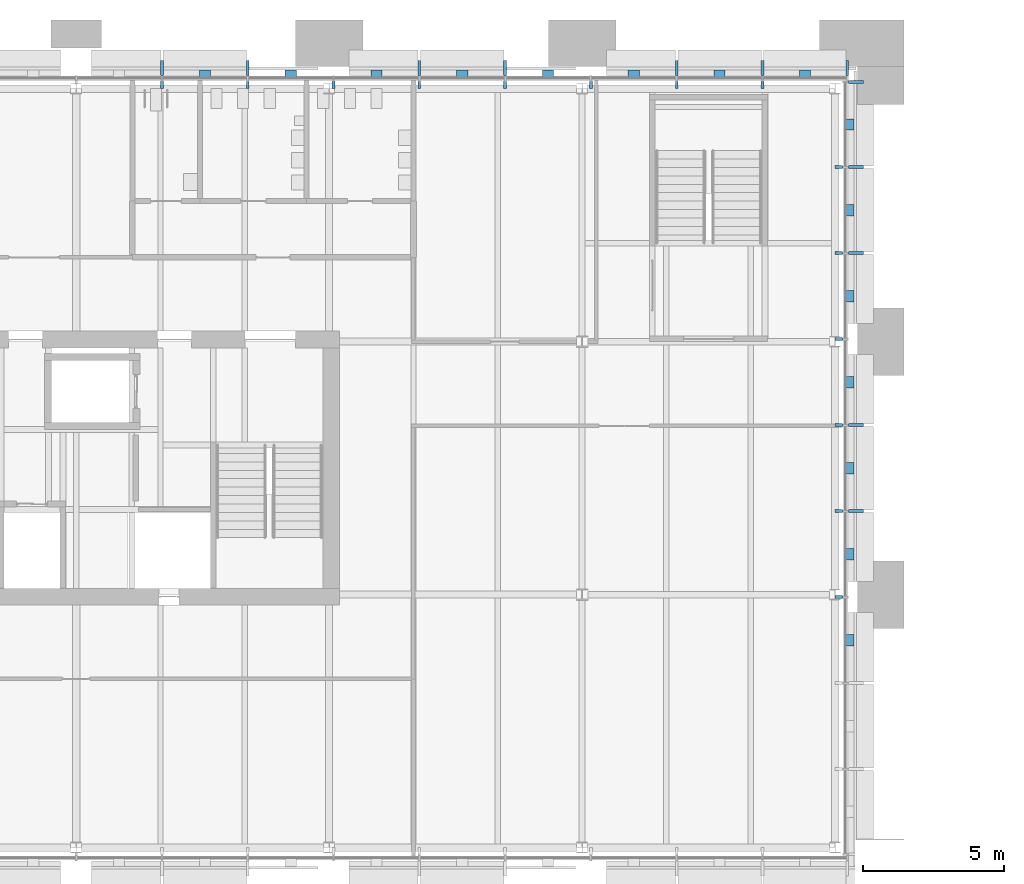
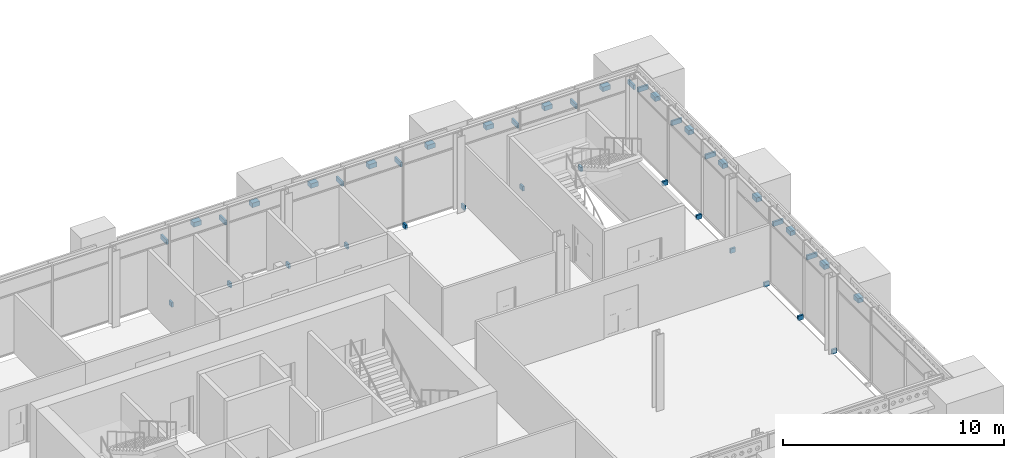
# One storey, part 36 of 54: 41 discrete accessories.
"""IFC4 building model written with IfcOpenShell, lengths in metres."""

from ifc_helpers import new_model, si_unit, direction, frame, origin, origin_2d, place, context, subcontext, project, spatial, rectangle, extrude, material, type_object, element, save


model = new_model("IFC4")

# Units and contexts
model_context = context("Model", 3, precision=1e-05, world=origin(), true_north=direction((0.0, 1.0)))
body_context = subcontext(model_context, "Body", "Model", "MODEL_VIEW")
ifc_project = project(units=[si_unit("LENGTHUNIT", "METRE"), si_unit("AREAUNIT", "SQUARE_METRE"), si_unit("VOLUMEUNIT", "CUBIC_METRE"), si_unit("PLANEANGLEUNIT", "RADIAN"), si_unit("MASSUNIT", "GRAM", prefix="KILO")], contexts=[model_context])

# Site, building, storey
site_placement = place(None, origin())
site = spatial("IfcSite", under=ifc_project, at=site_placement, CompositionType="ELEMENT")
building_placement = place(site_placement, origin())
building = spatial("IfcBuilding", under=site, at=building_placement, Name="Baradari Gate Terminus", CompositionType="ELEMENT")
storey_placement = place(building_placement, frame((0.0, 0.0, 15.89990234375)))
storey = spatial("IfcBuildingStorey", under=building, at=storey_placement, Name="L03", CompositionType="ELEMENT", Elevation=15.89990234375)

# Discrete accessories
ifc_material_1 = material(Name="Steel S275", Category="steel")
discrete_accessory_type_1 = type_object("IfcDiscreteAccessoryType", Name="Chhajja bracket BK-3 galvanised steel", PredefinedType="BRACKET", material=ifc_material_1)
for number, where, z_axis, x_axis, name in (
    (1, (39.05224609375, 144.739990234375, 3.08251953125), (0.0, 0.0, 1.0), (0.0, 1.0, 0.0), "Chhajja bracket BK-3 L03/TN mullion 11"),
    (2, (42.1044921875, 144.739990234375, 3.08251953125), (0.0, 0.0, 1.0), (0.0, 1.0, 0.0), "Chhajja bracket BK-3 L03/TN mullion 12"),
    (3, (48.208984375, 144.739990234375, 3.08251953125), (0.0, 0.0, 1.0), (0.0, 1.0, 0.0), "Chhajja bracket BK-3 L03/TN mullion 14"),
    (4, (51.26123046875, 144.739990234375, 3.08251953125), (0.0, 0.0, 1.0), (0.0, 1.0, 0.0), "Chhajja bracket BK-3 L03/TN mullion 15"),
    (5, (57.365478515625, 144.739990234375, 3.08251953125), (0.0, 0.0, 1.0), (0.0, 1.0, 0.0), "Chhajja bracket BK-3 L03/TN mullion 17"),
    (6, (60.417724609375, 144.739990234375, 3.08251953125), (0.0, 0.0, 1.0), (0.0, 1.0, 0.0), "Chhajja bracket BK-3 L03/TN mullion 18"),
    (7, (63.4375, 144.739990234375, 3.08251953125), (0.0, 0.0, 1.0), (0.0, 1.0, 0.0), "Chhajja bracket BK-3 L03/TN mullion 19"),
    (8, (63.739990234375, 128.969970703125, 3.08251953125), (0.0, 0.0, 1.0), (1.0, 0.0, 0.0), "Chhajja bracket BK-3 L03/TE mullion 5"),
    (9, (63.739990234375, 132.030029296875, 3.08251953125), (0.0, 0.0, 1.0), (1.0, 0.0, 0.0), "Chhajja bracket BK-3 L03/TE mullion 6"),
    (10, (63.739990234375, 138.14990234375, 3.08251953125), (0.0, 0.0, 1.0), (1.0, 0.0, 0.0), "Chhajja bracket BK-3 L03/TE mullion 8"),
    (11, (63.739990234375, 141.2099609375, 3.08251953125), (0.0, 0.0, 1.0), (1.0, 0.0, 0.0), "Chhajja bracket BK-3 L03/TE mullion 9"),
    (12, (63.739990234375, 144.237548828125, 3.08251953125), (0.0, 0.0, 1.0), (1.0, 0.0, 0.0), "Chhajja bracket BK-3 L03/TE mullion 10"),
):
    element("IfcDiscreteAccessory", number, at=place(storey_placement, frame(where, z_axis=z_axis, x_axis=x_axis)), inside=storey, type_object=discrete_accessory_type_1, Name=name, PredefinedType="BRACKET", context=body_context, shape_type="SweptSolid", body=[
        extrude(rectangle(XDim=0.5400390625, YDim=0.10009765625, at=origin_2d()), origin(), (0.0, 0.0, 1.0), 0.25),
    ])
ifc_material_2 = material(Name="Aluminium 6063-T6", Category="aluminium")
discrete_accessory_type_2 = type_object("IfcDiscreteAccessoryType", Name="Curtain wall bracket BK-1 100x250", PredefinedType="BRACKET", material=ifc_material_2)
for number, where, z_axis, x_axis, name in (
    (13, (39.05224609375, 144.135009765625, -0.099853515625), (0.0, 0.0, 1.0), (0.0, 1.0, 0.0), "Curtain wall bracket BK-1 L03/TN mullion 11"),
    (14, (42.1044921875, 144.135009765625, -0.099853515625), (0.0, 0.0, 1.0), (0.0, 1.0, 0.0), "Curtain wall bracket BK-1 L03/TN mullion 12"),
    (15, (45.15673828125, 144.135009765625, -0.099853515625), (0.0, 0.0, 1.0), (0.0, 1.0, 0.0), "Curtain wall bracket BK-1 L03/TN mullion 13"),
    (16, (48.208984375, 144.135009765625, -0.099853515625), (0.0, 0.0, 1.0), (0.0, 1.0, 0.0), "Curtain wall bracket BK-1 L03/TN mullion 14"),
    (17, (51.26123046875, 144.135009765625, -0.099853515625), (0.0, 0.0, 1.0), (0.0, 1.0, 0.0), "Curtain wall bracket BK-1 L03/TN mullion 15"),
    (18, (54.313232421875, 144.135009765625, -0.099853515625), (0.0, 0.0, 1.0), (0.0, 1.0, 0.0), "Curtain wall bracket BK-1 L03/TN mullion 16"),
    (19, (57.365478515625, 144.135009765625, -0.099853515625), (0.0, 0.0, 1.0), (0.0, 1.0, 0.0), "Curtain wall bracket BK-1 L03/TN mullion 17"),
    (20, (60.417724609375, 144.135009765625, -0.099853515625), (0.0, 0.0, 1.0), (0.0, 1.0, 0.0), "Curtain wall bracket BK-1 L03/TN mullion 18"),
    (21, (63.135009765625, 125.909912109375, -0.099853515625), (0.0, 0.0, 1.0), (1.0, 0.0, 0.0), "Curtain wall bracket BK-1 L03/TE mullion 4"),
    (22, (63.135009765625, 128.969970703125, -0.099853515625), (0.0, 0.0, 1.0), (1.0, 0.0, 0.0), "Curtain wall bracket BK-1 L03/TE mullion 5"),
    (23, (63.135009765625, 132.030029296875, -0.099853515625), (0.0, 0.0, 1.0), (1.0, 0.0, 0.0), "Curtain wall bracket BK-1 L03/TE mullion 6"),
    (24, (63.135009765625, 135.090087890625, -0.099853515625), (0.0, 0.0, 1.0), (1.0, 0.0, 0.0), "Curtain wall bracket BK-1 L03/TE mullion 7"),
    (25, (63.135009765625, 138.14990234375, -0.099853515625), (0.0, 0.0, 1.0), (1.0, 0.0, 0.0), "Curtain wall bracket BK-1 L03/TE mullion 8"),
    (26, (63.135009765625, 141.2099609375, -0.099853515625), (0.0, 0.0, 1.0), (1.0, 0.0, 0.0), "Curtain wall bracket BK-1 L03/TE mullion 9"),
):
    element("IfcDiscreteAccessory", number, at=place(storey_placement, frame(where, z_axis=z_axis, x_axis=x_axis)), inside=storey, type_object=discrete_accessory_type_2, Name=name, PredefinedType="BRACKET", context=body_context, shape_type="SweptSolid", body=[
        extrude(rectangle(XDim=0.27001953125, YDim=0.10009765625, at=origin_2d()), origin(), (0.0, 0.0, 1.0), 0.25),
    ])
ifc_material_3 = material(Name="Stainless steel 316", Category="steel")
discrete_accessory_type_3 = type_object("IfcDiscreteAccessoryType", Name="Jali screen bracket BK-2 stainless steel", PredefinedType="BRACKET", material=ifc_material_3)
for number, where, z_axis, x_axis, name in (
    (27, (40.578369140625, 144.527587890625, 3.60888671875), (0.0, 0.0, 1.0), (0.0, 1.0, 0.0), "Jali screen bracket BK-2 L03/TN bay 11"),
    (28, (43.630615234375, 144.527587890625, 3.60888671875), (0.0, 0.0, 1.0), (0.0, 1.0, 0.0), "Jali screen bracket BK-2 L03/TN bay 12"),
    (29, (46.682861328125, 144.527587890625, 3.60888671875), (0.0, 0.0, 1.0), (0.0, 1.0, 0.0), "Jali screen bracket BK-2 L03/TN bay 13"),
    (30, (49.735107421875, 144.527587890625, 3.60888671875), (0.0, 0.0, 1.0), (0.0, 1.0, 0.0), "Jali screen bracket BK-2 L03/TN bay 14"),
    (31, (52.787109375, 144.527587890625, 3.60888671875), (0.0, 0.0, 1.0), (0.0, 1.0, 0.0), "Jali screen bracket BK-2 L03/TN bay 15"),
    (32, (55.83935546875, 144.527587890625, 3.60888671875), (0.0, 0.0, 1.0), (0.0, 1.0, 0.0), "Jali screen bracket BK-2 L03/TN bay 16"),
    (33, (58.8916015625, 144.527587890625, 3.60888671875), (0.0, 0.0, 1.0), (0.0, 1.0, 0.0), "Jali screen bracket BK-2 L03/TN bay 17"),
    (34, (61.927734375, 144.527587890625, 3.60888671875), (0.0, 0.0, 1.0), (0.0, 1.0, 0.0), "Jali screen bracket BK-2 L03/TN bay 18"),
    (35, (63.527587890625, 124.3798828125, 3.60888671875), (0.0, 0.0, 1.0), (1.0, 0.0, 0.0), "Jali screen bracket BK-2 L03/TE bay 3"),
    (36, (63.527587890625, 127.43994140625, 3.60888671875), (0.0, 0.0, 1.0), (1.0, 0.0, 0.0), "Jali screen bracket BK-2 L03/TE bay 4"),
    (37, (63.527587890625, 130.5, 3.60888671875), (0.0, 0.0, 1.0), (1.0, 0.0, 0.0), "Jali screen bracket BK-2 L03/TE bay 5"),
    (38, (63.527587890625, 133.56005859375, 3.60888671875), (0.0, 0.0, 1.0), (1.0, 0.0, 0.0), "Jali screen bracket BK-2 L03/TE bay 6"),
    (39, (63.527587890625, 136.6201171875, 3.60888671875), (0.0, 0.0, 1.0), (1.0, 0.0, 0.0), "Jali screen bracket BK-2 L03/TE bay 7"),
    (40, (63.527587890625, 139.679931640625, 3.60888671875), (0.0, 0.0, 1.0), (1.0, 0.0, 0.0), "Jali screen bracket BK-2 L03/TE bay 8"),
    (41, (63.527587890625, 142.7236328125, 3.60888671875), (0.0, 0.0, 1.0), (1.0, 0.0, 0.0), "Jali screen bracket BK-2 L03/TE bay 9"),
):
    element("IfcDiscreteAccessory", number, at=place(storey_placement, frame(where, z_axis=z_axis, x_axis=x_axis)), inside=storey, type_object=discrete_accessory_type_3, Name=name, PredefinedType="BRACKET", context=body_context, shape_type="SweptSolid", body=[
        extrude(rectangle(XDim=0.284912109375, YDim=0.39990234375, at=origin_2d()), origin(), (0.0, 0.0, 1.0), 0.25),
    ])

save(model, "model.ifc")
